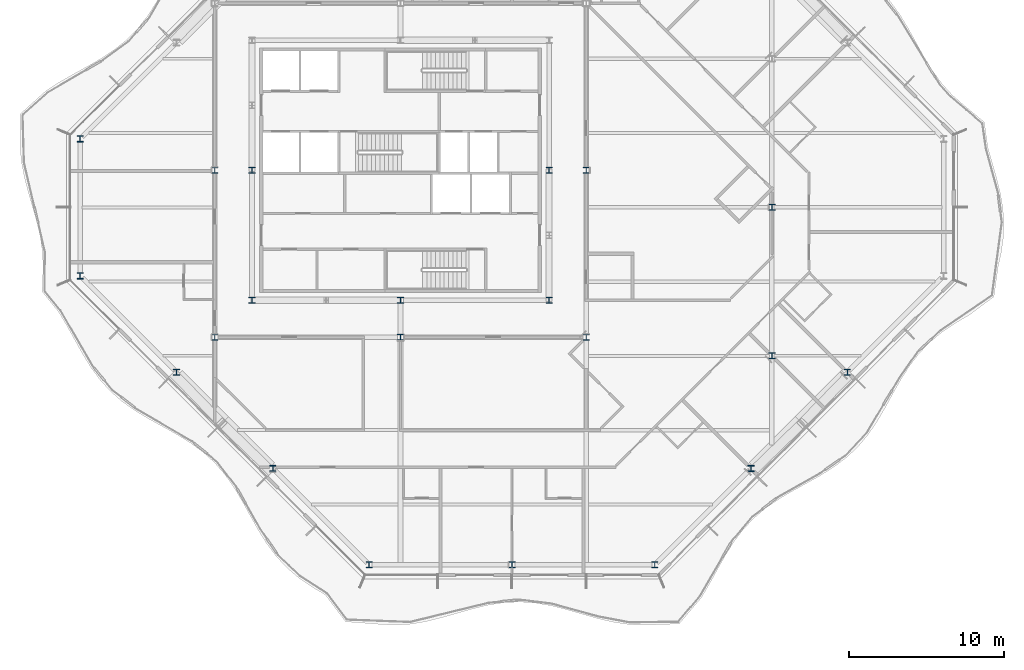
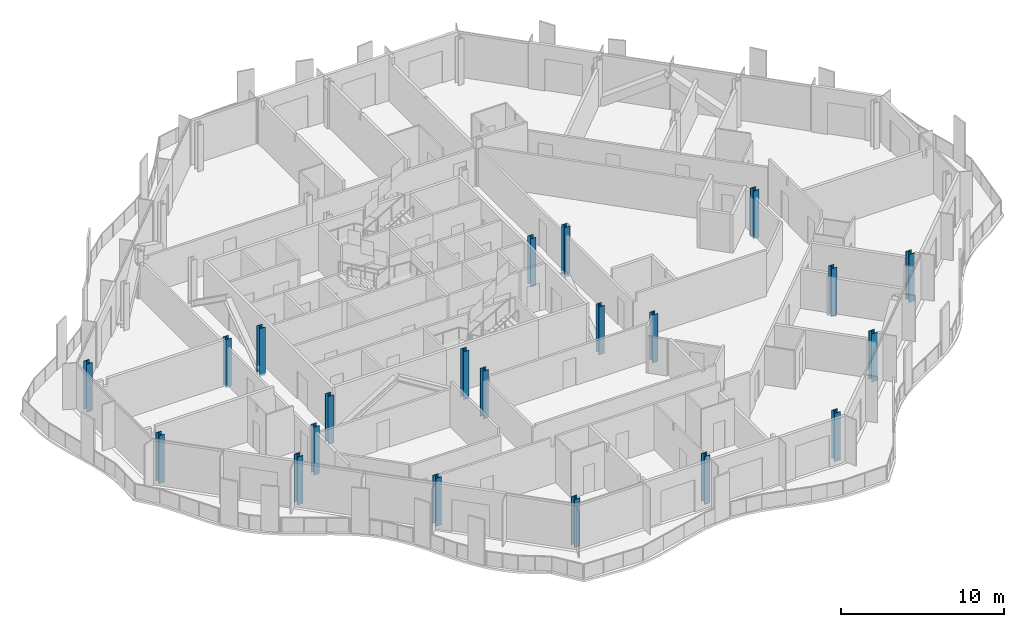
# One storey, part 1 of 17: 21 columns.
"""IFC4 building model written with IfcOpenShell, lengths in metres."""

from ifc_helpers import new_model, si_unit, direction, frame, origin, origin_2d, place, context, subcontext, project, spatial, i_section, extrude, material, material_profile, profile_set, type_object, element, save


model = new_model("IFC4")

# Units and contexts
model_context = context("Model", 3, precision=1e-05, world=origin(), true_north=direction((0.0, 1.0)))
body_context = subcontext(model_context, "Body", "Model", "MODEL_VIEW")
ifc_project = project(units=[si_unit("LENGTHUNIT", "METRE"), si_unit("AREAUNIT", "SQUARE_METRE"), si_unit("VOLUMEUNIT", "CUBIC_METRE"), si_unit("PLANEANGLEUNIT", "RADIAN"), si_unit("MASSUNIT", "GRAM", prefix="KILO")], contexts=[model_context])

# Site, building, storey
site_placement = place(None, origin())
site = spatial("IfcSite", under=ifc_project, at=site_placement, CompositionType="ELEMENT")
building_placement = place(site_placement, origin())
building = spatial("IfcBuilding", under=site, at=building_placement, Name="Cairn Pilgrim Tower", CompositionType="ELEMENT")
storey_placement = place(building_placement, frame((0.0, 0.0, 253.800048828125)))
storey = spatial("IfcBuildingStorey", under=building, at=storey_placement, Name="L65", CompositionType="ELEMENT", Elevation=253.800048828125)

# Columns
ifc_material_1 = material(Name="Structural steel S355J2", Category="steel")
ifc_material_profile_1 = material_profile(ifc_material_1, i_section(OverallWidth=0.39404296875, OverallDepth=0.375, WebThickness=0.017333984375, FlangeThickness=0.027587890625, FilletRadius=0.014892578125, at=origin_2d()), Name="HD 400x216")
ifc_profile_set_1 = profile_set([ifc_material_profile_1], Name="Structural steel S355J2")
column_type_1 = type_object("IfcColumnType", Name="HD 400x216", PredefinedType="COLUMN", material=ifc_profile_set_1)
for number, where, z_axis, x_axis, name in (
    (1, (-4.800048828125, -8.39990234375, -0.150146484375), (0.0, 0.0, 1.0), (1.0, 0.0, 0.0), "IC-1"),
    (2, (7.199951171875, -8.39990234375, -0.150146484375), (0.0, 0.0, 1.0), (1.0, 0.0, 0.0), "IC-2"),
    (3, (19.199951171875, -8.39990234375, -0.150146484375), (0.0, 0.0, 1.0), (1.0, 0.0, 0.0), "IC-3"),
    (4, (-4.800048828125, 2.39990234375, -0.150146484375), (0.0, 0.0, 1.0), (1.0, 0.0, 0.0), "IC-4"),
    (5, (19.199951171875, 2.39990234375, -0.150146484375), (0.0, 0.0, 1.0), (1.0, 0.0, 0.0), "IC-5"),
):
    element("IfcColumn", number, at=place(storey_placement, frame(where, z_axis=z_axis, x_axis=x_axis)), inside=storey, type_object=column_type_1, Name=name, PredefinedType="COLUMN", context=body_context, shape_type="SweptSolid", body=[
        extrude(i_section(OverallWidth=0.39404296875, OverallDepth=0.375, WebThickness=0.017333984375, FlangeThickness=0.027587890625, FilletRadius=0.014892578125, at=origin_2d()), origin(), (0.0, 0.0, 1.0), 3.60009765625),
    ])
ifc_material_profile_2 = material_profile(ifc_material_1, i_section(OverallWidth=0.39794921875, OverallDepth=0.386962890625, WebThickness=0.02099609375, FlangeThickness=0.033203125, FilletRadius=0.014892578125, at=origin_2d()), Name="HD 400x262")
ifc_profile_set_2 = profile_set([ifc_material_profile_2], Name="Structural steel S355J2")
column_type_2 = type_object("IfcColumnType", Name="HD 400x262", PredefinedType="COLUMN", material=ifc_profile_set_2)
for number, where, z_axis, x_axis, name in (
    (6, (-2.39990234375, -6.0, -0.150146484375), (0.0, 0.0, 1.0), (1.0, 0.0, 0.0), "KC-1"),
    (7, (7.199951171875, -6.0, -0.150146484375), (0.0, 0.0, 1.0), (1.0, 0.0, 0.0), "KC-2"),
    (8, (16.800048828125, -6.0, -0.150146484375), (0.0, 0.0, 1.0), (1.0, 0.0, 0.0), "KC-3"),
    (9, (-2.39990234375, 2.39990234375, -0.150146484375), (0.0, 0.0, 1.0), (1.0, 0.0, 0.0), "KC-4"),
    (10, (16.800048828125, 2.39990234375, -0.150146484375), (0.0, 0.0, 1.0), (1.0, 0.0, 0.0), "KC-5"),
):
    element("IfcColumn", number, at=place(storey_placement, frame(where, z_axis=z_axis, x_axis=x_axis)), inside=storey, type_object=column_type_2, Name=name, PredefinedType="COLUMN", context=body_context, shape_type="SweptSolid", body=[
        extrude(i_section(OverallWidth=0.39794921875, OverallDepth=0.386962890625, WebThickness=0.02099609375, FlangeThickness=0.033203125, FilletRadius=0.014892578125, at=origin_2d()), origin(), (0.0, 0.0, 1.0), 3.60009765625),
    ])
ifc_material_profile_3 = material_profile(ifc_material_1, i_section(OverallWidth=0.39892578125, OverallDepth=0.39306640625, WebThickness=0.022705078125, FlangeThickness=0.03662109375, FilletRadius=0.014892578125, at=origin_2d()), Name="HD 400x287")
ifc_profile_set_3 = profile_set([ifc_material_profile_3], Name="Structural steel S355J2")
column_type_3 = type_object("IfcColumnType", Name="HD 400x287", PredefinedType="COLUMN", material=ifc_profile_set_3)
for number, where, z_axis, x_axis, name in (
    (11, (31.199951171875, -9.60009765625, -0.150146484375), (0.0, 0.0, 1.0), (1.0, 0.0, 0.0), "WC-WE-2"),
    (12, (31.199951171875, 0.0, -0.150146484375), (0.0, 0.0, 1.0), (1.0, 0.0, 0.0), "WC-WE+0"),
):
    element("IfcColumn", number, at=place(storey_placement, frame(where, z_axis=z_axis, x_axis=x_axis)), inside=storey, type_object=column_type_3, Name=name, PredefinedType="COLUMN", context=body_context, shape_type="SweptSolid", body=[
        extrude(i_section(OverallWidth=0.39892578125, OverallDepth=0.39306640625, WebThickness=0.022705078125, FlangeThickness=0.03662109375, FilletRadius=0.014892578125, at=origin_2d()), origin(), (0.0, 0.0, 1.0), 3.60009765625),
    ])
ifc_material_2 = material(Name="Structural steel S460M", Category="steel")
ifc_material_profile_4 = material_profile(ifc_material_2, i_section(OverallWidth=0.404052734375, OverallDepth=0.406982421875, WebThickness=0.027099609375, FlangeThickness=0.043701171875, FilletRadius=0.014892578125, at=origin_2d()), Name="HD 400x347")
ifc_profile_set_4 = profile_set([ifc_material_profile_4], Name="Structural steel S460M")
column_type_4 = type_object("IfcColumnType", Name="HD 400x347", PredefinedType="COLUMN", material=ifc_profile_set_4)
for number, where, z_axis, x_axis, name in (
    (13, (5.1728515625, -23.10009765625, -0.150146484375), (0.0, 0.0, 1.0), (1.0, 0.0, 0.0), "PC3-S1"),
    (14, (14.39990234375, -23.10009765625, -0.150146484375), (0.0, 0.0, 1.0), (1.0, 0.0, 0.0), "PC3-S2"),
    (15, (23.627197265625, -23.10009765625, -0.150146484375), (0.0, 0.0, 1.0), (1.0, 0.0, 0.0), "PC3-SE1"),
    (16, (29.8515625, -16.875732421875, -0.150146484375), (0.0, 0.0, 1.0), (1.0, 0.0, 0.0), "PC3-SE2"),
    (17, (36.07568359375, -10.651611328125, -0.150146484375), (0.0, 0.0, 1.0), (1.0, 0.0, 0.0), "PC3-SE3"),
    (18, (-13.5, 4.42724609375, -0.150146484375), (0.0, 0.0, 1.0), (1.0, 0.0, 0.0), "PC3-W1"),
    (19, (-13.5, -4.42724609375, -0.150146484375), (0.0, 0.0, 1.0), (1.0, 0.0, 0.0), "PC3-SW1"),
    (20, (-7.275634765625, -10.651611328125, -0.150146484375), (0.0, 0.0, 1.0), (1.0, 0.0, 0.0), "PC3-SW2"),
    (21, (-1.051513671875, -16.875732421875, -0.150146484375), (0.0, 0.0, 1.0), (1.0, 0.0, 0.0), "PC3-SW3"),
):
    element("IfcColumn", number, at=place(storey_placement, frame(where, z_axis=z_axis, x_axis=x_axis)), inside=storey, type_object=column_type_4, Name=name, PredefinedType="COLUMN", context=body_context, shape_type="SweptSolid", body=[
        extrude(i_section(OverallWidth=0.404052734375, OverallDepth=0.406982421875, WebThickness=0.027099609375, FlangeThickness=0.043701171875, FilletRadius=0.014892578125, at=origin_2d()), origin(), (0.0, 0.0, 1.0), 3.60009765625),
    ])

save(model, "model.ifc")
